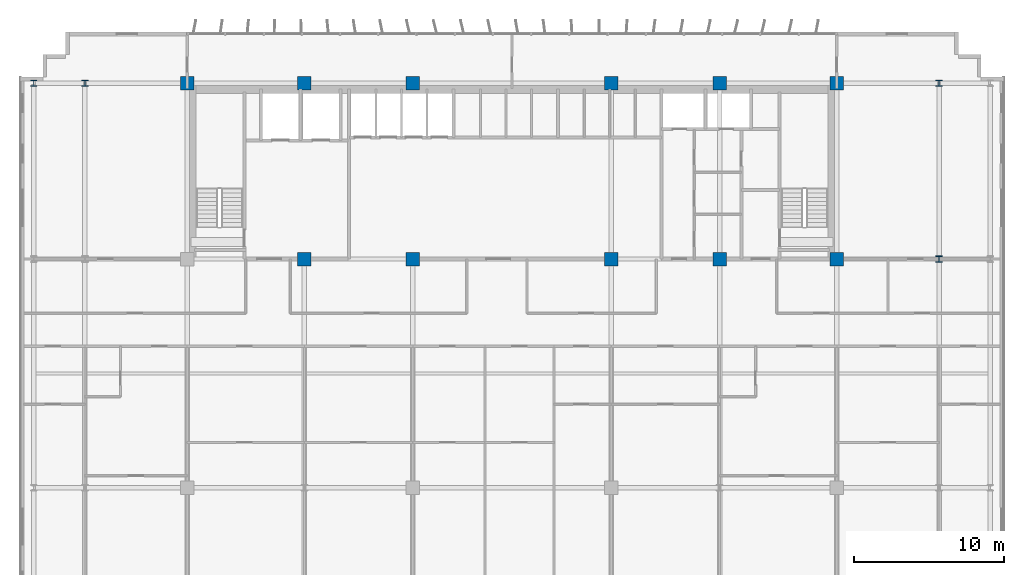
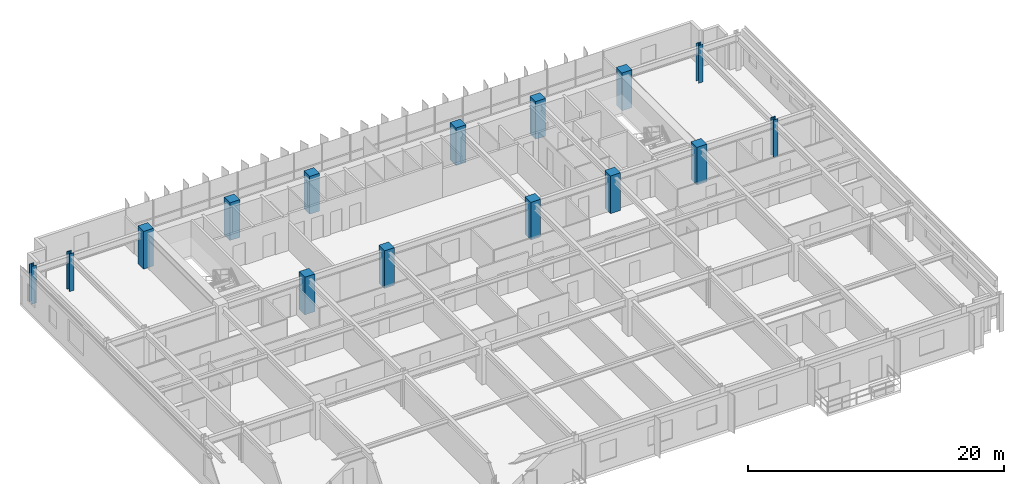
# One storey, part 2 of 22: 15 columns.
"""IFC4 building model written with IfcOpenShell, lengths in metres."""

import ifcopenshell
import ifcopenshell.guid

model = None  # the IFC model being written
_history = None  # IfcOwnerHistory: only IFC2X3 demands one
_inside = {}  # id of a spatial element -> (the spatial element, [elements in it])
_under = {}  # id of a project, library or spatial element -> (it, [spatial elements below it])
_declared = {}  # id of a project -> (the project, [libraries it declares])
_typed = {}  # id of a type object -> (the type object, [elements of that type])
_made_of = {}  # id of a material, layer set ... -> (it, [elements and type objects made of it])


def new_model(schema):
    """Start an empty IFC model of exactly this schema.

    Asked for "IFC4X3", IfcOpenShell would pick the latest addendum, in which some entities
    have other attributes; the version numbers below select the first issue.
    IFC2X3 requires an IfcOwnerHistory on every rooted entity: one is made here for all.
    """
    global model, _history
    if schema == "IFC4X3":
        model = ifcopenshell.file(schema_version=(4, 3, 0, 0))
    else:
        model = ifcopenshell.file(schema=schema)
    _inside.clear()
    _under.clear()
    _declared.clear()
    _typed.clear()
    _made_of.clear()
    _history = None
    if model.schema == "IFC2X3":
        org = make("IfcOrganization", Name="unknown")
        user = make(
            "IfcPersonAndOrganization",
            ThePerson=make("IfcPerson", FamilyName="unknown"),
            TheOrganization=org,
        )
        app = make(
            "IfcApplication",
            ApplicationDeveloper=org,
            Version="unknown",
            ApplicationFullName="unknown",
            ApplicationIdentifier="unknown",
        )
        _history = make(
            "IfcOwnerHistory",
            OwningUser=user,
            OwningApplication=app,
            ChangeAction="ADDED",
            CreationDate=0,
        )
    return model


def make(cls, **values):
    """One entity of the class cls with the attributes given. An attribute that is None is left unset."""
    return model.create_entity(
        cls, **{name: value for name, value in values.items() if value is not None}
    )


def rooted(cls, **values):
    """An entity with a GlobalId (a new one), such as an element, a storey or a relation."""
    return make(cls, GlobalId=ifcopenshell.guid.new(), OwnerHistory=_history, **values)


def si_unit(unit_type, name, prefix=None):
    """IfcSIUnit, for example si_unit("LENGTHUNIT", "METRE", prefix="MILLI")."""
    return make("IfcSIUnit", UnitType=unit_type, Prefix=prefix, Name=name)


def assignment(units):
    """IfcUnitAssignment: the units of a project."""
    return None if units is None else make("IfcUnitAssignment", Units=units)


def point(xyz):
    """IfcCartesianPoint."""
    return None if xyz is None else make("IfcCartesianPoint", Coordinates=xyz)


def direction(xyz):
    """IfcDirection."""
    return None if xyz is None else make("IfcDirection", DirectionRatios=xyz)


def frame(location, z_axis=None, x_axis=None):
    """IfcAxis2Placement3D, a coordinate frame: its origin and axes. An axis left out is left unset."""
    return make(
        "IfcAxis2Placement3D",
        Location=point(location),
        Axis=direction(z_axis),
        RefDirection=direction(x_axis),
    )


def frame_2d(location, x_axis=None):
    """IfcAxis2Placement2D, a coordinate frame in the plane: its origin and x axis."""
    return make(
        "IfcAxis2Placement2D", Location=point(location), RefDirection=direction(x_axis)
    )


def origin():
    """The frame at (0, 0, 0) with its axes left unset."""
    return frame((0.0, 0.0, 0.0))


def origin_2d():
    """The frame at (0, 0) in the plane with its x axis left unset."""
    return frame_2d((0.0, 0.0))


def place(relative_to, where):
    """IfcLocalPlacement: puts the frame where relative to a parent placement (None: the world)."""
    return make(
        "IfcLocalPlacement", PlacementRelTo=relative_to, RelativePlacement=where
    )


def context(
    kind, dimensions, precision=None, world=None, true_north=None, identifier=None
):
    """IfcGeometricRepresentationContext, for example the 3D "Model" context."""
    return make(
        "IfcGeometricRepresentationContext",
        ContextIdentifier=identifier,
        ContextType=kind,
        CoordinateSpaceDimension=dimensions,
        Precision=precision,
        WorldCoordinateSystem=world,
        TrueNorth=true_north,
    )


def subcontext(parent, identifier, kind, view, scale=None):
    """IfcGeometricRepresentationSubContext, for example "Body" below "Model"."""
    return make(
        "IfcGeometricRepresentationSubContext",
        ContextIdentifier=identifier,
        ContextType=kind,
        ParentContext=parent,
        TargetScale=scale,
        TargetView=view,
    )


def project(units=None, contexts=None):
    """IfcProject with its units and contexts."""
    return rooted(
        "IfcProject",
        Name="project",
        RepresentationContexts=contexts,
        UnitsInContext=assignment(units),
    )


def spatial(cls, under=None, at=None, **own):
    """A site, building, storey or space (cls), placed at a placement, below another one or the project."""
    s = rooted(cls, ObjectPlacement=at, **own)
    if under is not None:
        _under.setdefault(under.id(), (under, []))[1].append(s)
    return s


def profile(cls, at=None, kind="AREA", **sizes):
    """A parametric profile (cls). Its sizes go by their IFC names, for example OverallWidth=200.0."""
    return make(cls, ProfileType=kind, Position=at, **sizes)


def rectangle(**sizes):
    """IfcRectangleProfileDef."""
    return profile("IfcRectangleProfileDef", **sizes)


def i_section(**sizes):
    """IfcIShapeProfileDef."""
    return profile("IfcIShapeProfileDef", **sizes)


def extrude(swept, where, along, depth):
    """IfcExtrudedAreaSolid: the profile swept, set in the frame where, extruded along a direction by depth."""
    return make(
        "IfcExtrudedAreaSolid",
        SweptArea=swept,
        Position=where,
        ExtrudedDirection=direction(along),
        Depth=depth,
    )


def shape(context_of_items, identifier, shape_type, items):
    """IfcShapeRepresentation: the items that make up one representation, for example the "Body"."""
    return make(
        "IfcShapeRepresentation",
        ContextOfItems=context_of_items,
        RepresentationIdentifier=identifier,
        RepresentationType=shape_type,
        Items=items,
    )


def source(mapping_origin, context_of_items, identifier, shape_type, items):
    """IfcRepresentationMap: a shape defined once, which mapped items show again and again."""
    return make(
        "IfcRepresentationMap",
        MappingOrigin=mapping_origin,
        MappedRepresentation=shape(context_of_items, identifier, shape_type, items),
    )


def transform(
    local_origin,
    x_axis=None,
    y_axis=None,
    z_axis=None,
    scale=None,
    scale2=None,
    scale3=None,
    uniform=True,
):
    """IfcCartesianTransformationOperator3D, or its non-uniform kind. x_axis, y_axis, z_axis: its Axis1, 2, 3."""
    if uniform:
        return make(
            "IfcCartesianTransformationOperator3D",
            Axis1=direction(x_axis),
            Axis2=direction(y_axis),
            LocalOrigin=point(local_origin),
            Scale=scale,
            Axis3=direction(z_axis),
        )
    return make(
        "IfcCartesianTransformationOperator3DnonUniform",
        Axis1=direction(x_axis),
        Axis2=direction(y_axis),
        LocalOrigin=point(local_origin),
        Scale=scale,
        Axis3=direction(z_axis),
        Scale2=scale2,
        Scale3=scale3,
    )


def mapped(mapping_source, mapping_target):
    """IfcMappedItem: shows the shape of a source again, moved by a transform."""
    return make(
        "IfcMappedItem", MappingSource=mapping_source, MappingTarget=mapping_target
    )


def material(Name=None, Category=None):
    """IfcMaterial."""
    return make("IfcMaterial", Name=Name, Category=Category)


def material_profile(
    of_material, cross_section, Name=None, Category=None, Priority=None
):
    """IfcMaterialProfile: a cross section and its material."""
    return make(
        "IfcMaterialProfile",
        Name=Name,
        Material=of_material,
        Profile=cross_section,
        Priority=Priority,
        Category=Category,
    )


def profile_set(profiles, Name=None, composite=None):
    """IfcMaterialProfileSet."""
    return make(
        "IfcMaterialProfileSet",
        Name=Name,
        MaterialProfiles=profiles,
        CompositeProfile=composite,
    )


def made_of(thing, what):
    """Note that an element or type object is made of a material, layer set ...; save() writes the relation."""
    if what is not None:
        _made_of.setdefault(what.id(), (what, []))[1].append(thing)
    return thing


def type_object(cls, material=None, **own):
    """A type object (cls), such as IfcWallType, which elements share."""
    return made_of(rooted(cls, **own), material)


def element(
    cls,
    number,
    at=None,
    inside=None,
    cuts=None,
    type_object=None,
    material=None,
    context=None,
    identifier="Body",
    shape_type=None,
    held_by="IfcProductDefinitionShape",
    body=None,
    shapes=None,
    **own,
):
    """One element of the class cls, such as IfcWall. Its Tag is "e" and its number.

    at: its placement. inside: the storey or other place that contains it. cuts: it is an
    opening in that element (IfcRelVoidsElement). A single representation is given by context,
    identifier, shape_type and body (its items); several are given by shapes. held_by: the class
    of the entity that holds the representations. save() writes the other relations.
    """
    e = rooted(cls, Tag="e%d" % number, ObjectPlacement=at, **own)
    if body is not None:
        shapes = [shape(context, identifier, shape_type, body)]
    if shapes is not None:
        e.Representation = make(held_by, Representations=shapes)
    if inside is not None:
        _inside.setdefault(inside.id(), (inside, []))[1].append(e)
    if cuts is not None:
        rooted(
            "IfcRelVoidsElement", RelatingBuildingElement=cuts, RelatedOpeningElement=e
        )
    if type_object is not None:
        _typed.setdefault(type_object.id(), (type_object, []))[1].append(e)
    return made_of(e, material)


def aggregate(whole, parts):
    """IfcRelAggregates: a whole, such as a stair, and the parts it consists of."""
    return rooted("IfcRelAggregates", RelatingObject=whole, RelatedObjects=parts)


def save(model, path):
    """Write the relations noted so far, then the file.

    IfcRelAggregates (storeys below a building ...), IfcRelContainedInSpatialStructure (elements
    in a storey), IfcRelDefinesByType, IfcRelAssociatesMaterial and IfcRelDeclares: one each for
    every whole, place, type object, material and project.
    """
    for whole, parts in _under.values():
        aggregate(whole, parts)
    for where, things in _inside.values():
        rooted(
            "IfcRelContainedInSpatialStructure",
            RelatedElements=things,
            RelatingStructure=where,
        )
    for kind, things in _typed.values():
        rooted("IfcRelDefinesByType", RelatedObjects=things, RelatingType=kind)
    for what, things in _made_of.values():
        rooted("IfcRelAssociatesMaterial", RelatedObjects=things, RelatingMaterial=what)
    for by, libraries in _declared.values():
        rooted("IfcRelDeclares", RelatingContext=by, RelatedDefinitions=libraries)
    model.write(path)


model = new_model("IFC4")

# Units and contexts
model_context = context("Model", 3, precision=1e-05, world=origin(), true_north=direction((0.0, 1.0)))
body_context = subcontext(model_context, "Body", "Model", "MODEL_VIEW")
ifc_project = project(units=[si_unit("LENGTHUNIT", "METRE"), si_unit("AREAUNIT", "SQUARE_METRE"), si_unit("VOLUMEUNIT", "CUBIC_METRE"), si_unit("PLANEANGLEUNIT", "RADIAN"), si_unit("MASSUNIT", "GRAM", prefix="KILO")], contexts=[model_context])

# Site, building, storey
site_placement = place(None, origin())
site = spatial("IfcSite", under=ifc_project, at=site_placement, CompositionType="ELEMENT")
building_placement = place(site_placement, origin())
building = spatial("IfcBuilding", under=site, at=building_placement, Name="Trelvane Seafront Commons", CompositionType="ELEMENT")
storey_placement = place(building_placement, frame((0.0, 0.0, 59.5)))
storey = spatial("IfcBuildingStorey", under=building, at=storey_placement, Name="L15", CompositionType="ELEMENT", Elevation=59.5)

# Columns
ifc_material_1 = material(Name="Steel SM355 (S355)", Category="steel")
ifc_material_profile_1 = material_profile(ifc_material_1, i_section(OverallWidth=0.419921875, OverallDepth=0.419921875, WebThickness=0.02587890625, FlangeThickness=0.0400390625, at=origin_2d()), Name="HD-420x420x26x40")
ifc_profile_set_1 = profile_set([ifc_material_profile_1], Name="Steel SM355 (S355)")
column_type_1 = type_object("IfcColumnType", Name="STR-COL-HD420", PredefinedType="COLUMN", material=ifc_profile_set_1)
shared_shape_1 = source(origin(), body_context, "Body", "SweptSolid", [
    extrude(i_section(OverallWidth=0.419921875, OverallDepth=0.419921875, WebThickness=0.02587890625, FlangeThickness=0.0400390625, at=origin_2d()), origin(), (0.0, 0.0, 1.0), 3.60009765625),
])
for number, where, z_axis, x_axis, name in (
    (1, (5.39990234375, 45.10009765625, 0.0), (0.0, 0.0, 1.0), (1.0, 0.0, 0.0), "L15 Column TC-CN5.4"),
    (2, (8.800048828125, 45.10009765625, 0.0), (0.0, 0.0, 1.0), (1.0, 0.0, 0.0), "L15 Column TC-CN8.8"),
    (3, (65.60009765625, 33.39990234375, 0.0), (0.0, 0.0, 1.0), (1.0, 0.0, 0.0), "L15 Column TC-CS65.6"),
    (4, (65.60009765625, 45.10009765625, 0.0), (0.0, 0.0, 1.0), (1.0, 0.0, 0.0), "L15 Column TC-CN65.6"),
):
    element("IfcColumn", number, at=place(storey_placement, frame(where, z_axis=z_axis, x_axis=x_axis)), inside=storey, type_object=column_type_1, Name=name, PredefinedType="COLUMN", context=body_context, shape_type="MappedRepresentation", body=[
        mapped(shared_shape_1, transform((0.0, 0.0, 0.0), x_axis=(1.0, 0.0, 0.0), y_axis=(0.0, 1.0, 0.0), z_axis=(0.0, 0.0, 1.0), scale=1.0)),
    ])
ifc_material_2 = material(Name="Concrete C60/75", Category="concrete")
ifc_material_profile_2 = material_profile(ifc_material_2, rectangle(XDim=0.89990234375, YDim=0.89990234375, at=origin_2d()), Name="RC-900x900")
ifc_profile_set_2 = profile_set([ifc_material_profile_2], Name="Concrete C60/75")
column_type_2 = type_object("IfcColumnType", Name="STR-COL-RC900", PredefinedType="COLUMN", material=ifc_profile_set_2)
shared_shape_2 = source(origin(), body_context, "Body", "SweptSolid", [
    extrude(rectangle(XDim=0.89990234375, YDim=0.89990234375, at=origin_2d()), origin(), (0.0, 0.0, 1.0), 3.60009765625),
])
for number, where, z_axis, x_axis, name in (
    (5, (15.60009765625, 45.10009765625, 0.0), (0.0, 0.0, 1.0), (1.0, 0.0, 0.0), "L15 Column TC-CN15.6"),
    (6, (23.39990234375, 33.39990234375, 0.0), (0.0, 0.0, 1.0), (1.0, 0.0, 0.0), "L15 Column TC-CS23.4"),
    (7, (23.39990234375, 45.10009765625, 0.0), (0.0, 0.0, 1.0), (1.0, 0.0, 0.0), "L15 Column TC-CN23.4"),
    (8, (30.60009765625, 33.39990234375, 0.0), (0.0, 0.0, 1.0), (1.0, 0.0, 0.0), "L15 Column TC-CS30.6"),
    (9, (30.60009765625, 45.10009765625, 0.0), (0.0, 0.0, 1.0), (1.0, 0.0, 0.0), "L15 Column TC-CN30.6"),
    (10, (43.800048828125, 33.39990234375, 0.0), (0.0, 0.0, 1.0), (1.0, 0.0, 0.0), "L15 Column TC-CS43.8"),
    (11, (43.800048828125, 45.10009765625, 0.0), (0.0, 0.0, 1.0), (1.0, 0.0, 0.0), "L15 Column TC-CN43.8"),
    (12, (51.0, 33.39990234375, 0.0), (0.0, 0.0, 1.0), (1.0, 0.0, 0.0), "L15 Column TC-CS51.0"),
    (13, (51.0, 45.10009765625, 0.0), (0.0, 0.0, 1.0), (1.0, 0.0, 0.0), "L15 Column TC-CN51.0"),
    (14, (58.800048828125, 33.39990234375, 0.0), (0.0, 0.0, 1.0), (1.0, 0.0, 0.0), "L15 Column TC-CS58.8"),
    (15, (58.800048828125, 45.10009765625, 0.0), (0.0, 0.0, 1.0), (1.0, 0.0, 0.0), "L15 Column TC-CN58.8"),
):
    element("IfcColumn", number, at=place(storey_placement, frame(where, z_axis=z_axis, x_axis=x_axis)), inside=storey, type_object=column_type_2, Name=name, PredefinedType="COLUMN", context=body_context, shape_type="MappedRepresentation", body=[
        mapped(shared_shape_2, transform((0.0, 0.0, 0.0), x_axis=(1.0, 0.0, 0.0), y_axis=(0.0, 1.0, 0.0), z_axis=(0.0, 0.0, 1.0), scale=1.0)),
    ])

save(model, "model.ifc")
